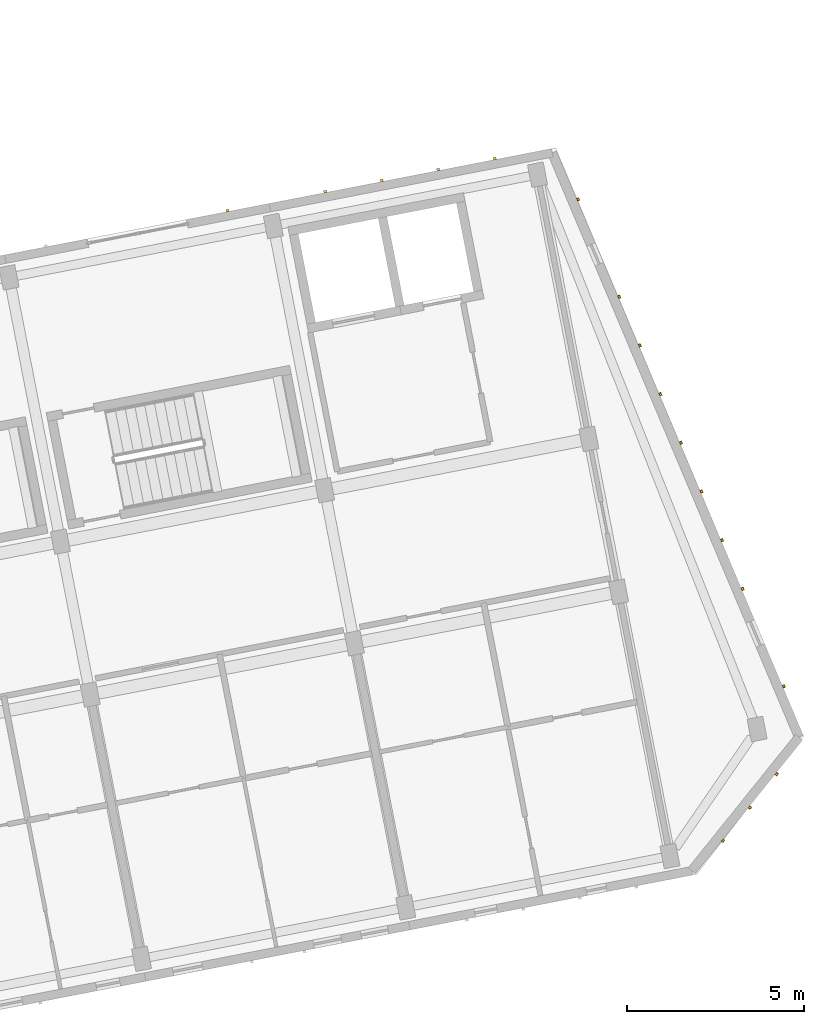
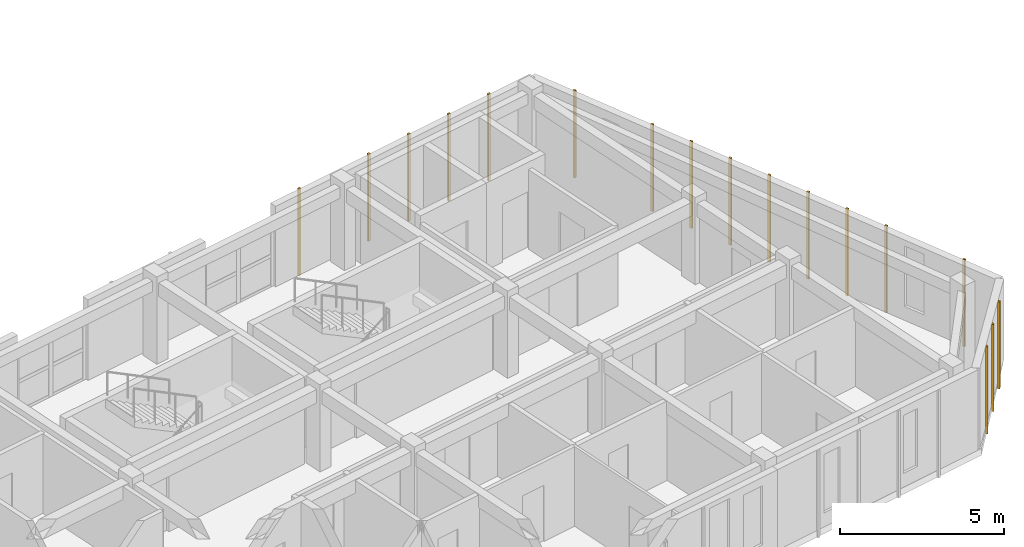
# One storey, part 61 of 65: 17 coverings.
"""IFC4 building model written with IfcOpenShell, lengths in metres."""

from ifc_helpers import new_model, si_unit, direction, frame, origin, origin_2d, place, context, subcontext, project, spatial, rectangle, extrude, material, layer, layer_set, type_object, element, save


model = new_model("IFC4")

# Units and contexts
model_context = context("Model", 3, precision=1e-05, world=origin(), true_north=direction((0.0, 1.0)))
body_context = subcontext(model_context, "Body", "Model", "MODEL_VIEW")
ifc_project = project(units=[si_unit("LENGTHUNIT", "METRE"), si_unit("AREAUNIT", "SQUARE_METRE"), si_unit("VOLUMEUNIT", "CUBIC_METRE"), si_unit("PLANEANGLEUNIT", "RADIAN"), si_unit("MASSUNIT", "GRAM", prefix="KILO")], contexts=[model_context])

# Site, building, storey
site_placement = place(None, origin())
site = spatial("IfcSite", under=ifc_project, at=site_placement, CompositionType="ELEMENT")
building_placement = place(site_placement, origin())
building = spatial("IfcBuilding", under=site, at=building_placement, Name="Kestramere Prow Commons", CompositionType="ELEMENT")
storey_placement = place(building_placement, frame((0.0, 0.0, 21.39990234375)))
storey = spatial("IfcBuildingStorey", under=building, at=storey_placement, Name="L06", CompositionType="ELEMENT", Elevation=21.39990234375)

# Coverings
ifc_material = material(Name="Weathered Zinc-Titanium Standing-Seam Cladding")
ifc_layer = layer(ifc_material, 0.074951171875)
ifc_layer_set = layer_set([ifc_layer], Name="Weathered Zinc-Titanium Standing-Seam Cladding")
covering_type = type_object("IfcCoveringType", Name="COV-CLAD-SEAM", PredefinedType="CLADDING", material=ifc_layer_set)
for number, where, z_axis, x_axis, name in (
    (1, (150.6669921875, 60.92919921875, -0.25), (0.0, 0.0, 1.0), (0.981627183448, 0.190808995377, 0.0), "EW-D-L06-NP-4-R Standing-Seam Rib 1"),
    (2, (153.427734375, 61.4658203125, -0.25), (0.0, 0.0, 1.0), (0.981627183448, 0.190808995377, 0.0), "EW-D-L06-N-5 Standing-Seam Rib 1"),
    (3, (155.02294921875, 61.77587890625, -0.25), (0.0, 0.0, 1.0), (0.981627183448, 0.190808995377, 0.0), "EW-D-L06-N-5 Standing-Seam Rib 2"),
    (4, (156.6181640625, 62.0859375, -0.25), (0.0, 0.0, 1.0), (0.981627183448, 0.190808995377, 0.0), "EW-D-L06-N-5 Standing-Seam Rib 3"),
    (5, (158.21337890625, 62.39599609375, -0.25), (0.0, 0.0, 1.0), (0.981627183448, 0.190808995377, 0.0), "EW-D-L06-N-5 Standing-Seam Rib 4"),
    (6, (160.568115234375, 61.24462890625, -0.25), (0.0, 0.0, 1.0), (0.389220414317, -0.92114465155, 0.0), "EW-D-L06-PRW-N Standing-Seam Rib 1"),
    (7, (161.72998046875, 58.4951171875, -0.25), (0.0, 0.0, 1.0), (0.389220414317, -0.92114465155, 0.0), "EW-D-L06-PRW-N Standing-Seam Rib 3"),
    (8, (162.310791015625, 57.1201171875, -0.25), (0.0, 0.0, 1.0), (0.389220414317, -0.92114465155, 0.0), "EW-D-L06-PRW-N Standing-Seam Rib 4"),
    (9, (162.891845703125, 55.745361328125, -0.25), (0.0, 0.0, 1.0), (0.389220414317, -0.92114465155, 0.0), "EW-D-L06-PRW-N Standing-Seam Rib 5"),
    (10, (163.47265625, 54.37060546875, -0.25), (0.0, 0.0, 1.0), (0.389220414317, -0.92114465155, 0.0), "EW-D-L06-PRW-N Standing-Seam Rib 6"),
    (11, (164.0537109375, 52.995849609375, -0.25), (0.0, 0.0, 1.0), (0.389220414317, -0.92114465155, 0.0), "EW-D-L06-PRW-N Standing-Seam Rib 7"),
    (12, (164.634521484375, 51.620849609375, -0.25), (0.0, 0.0, 1.0), (0.389220414317, -0.92114465155, 0.0), "EW-D-L06-PRW-N Standing-Seam Rib 8"),
    (13, (165.215576171875, 50.24609375, -0.25), (0.0, 0.0, 1.0), (0.389220414317, -0.92114465155, 0.0), "EW-D-L06-PRW-N Standing-Seam Rib 9"),
    (14, (166.37744140625, 47.496337890625, -0.25), (0.0, 0.0, 1.0), (0.389220414317, -0.92114465155, 0.0), "EW-D-L06-PRW-N Standing-Seam Rib 11"),
    (15, (166.177490234375, 45.013427734375, -0.25), (0.0, 0.0, 1.0), (-0.626297717754, -0.779583971575, 0.0), "EW-D-L06-PRW-S Standing-Seam Rib 1"),
    (16, (165.419921875, 44.0703125, -0.25), (0.0, 0.0, 1.0), (-0.626297717754, -0.779583971575, 0.0), "EW-D-L06-PRW-S Standing-Seam Rib 2"),
    (17, (164.662109375, 43.127197265625, -0.25), (0.0, 0.0, 1.0), (-0.626297717754, -0.779583971575, 0.0), "EW-D-L06-PRW-S Standing-Seam Rib 3"),
):
    element("IfcCovering", number, at=place(storey_placement, frame(where, z_axis=z_axis, x_axis=x_axis)), inside=storey, type_object=covering_type, Name=name, PredefinedType="CLADDING", context=body_context, shape_type="SweptSolid", body=[
        extrude(rectangle(XDim=0.0849609375, YDim=0.06494140625, at=origin_2d()), origin(), (0.0, 0.0, 1.0), 3.25),
    ])

save(model, "model.ifc")
